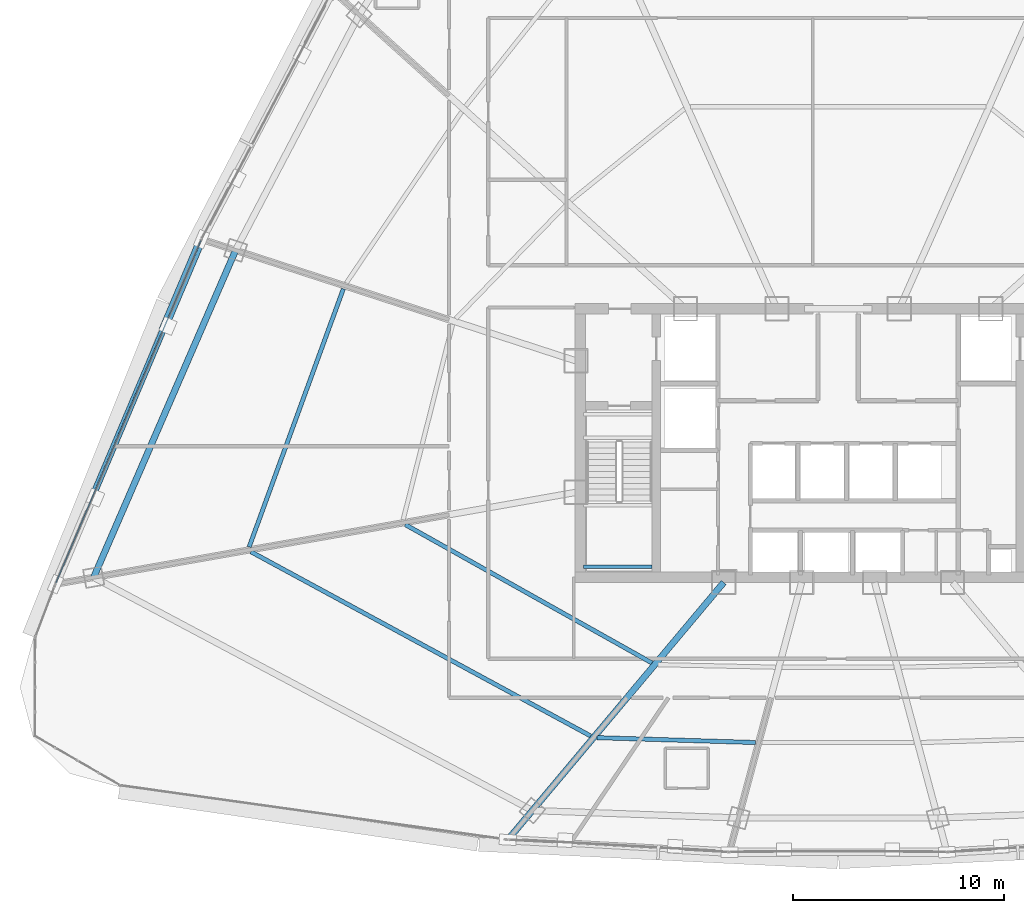
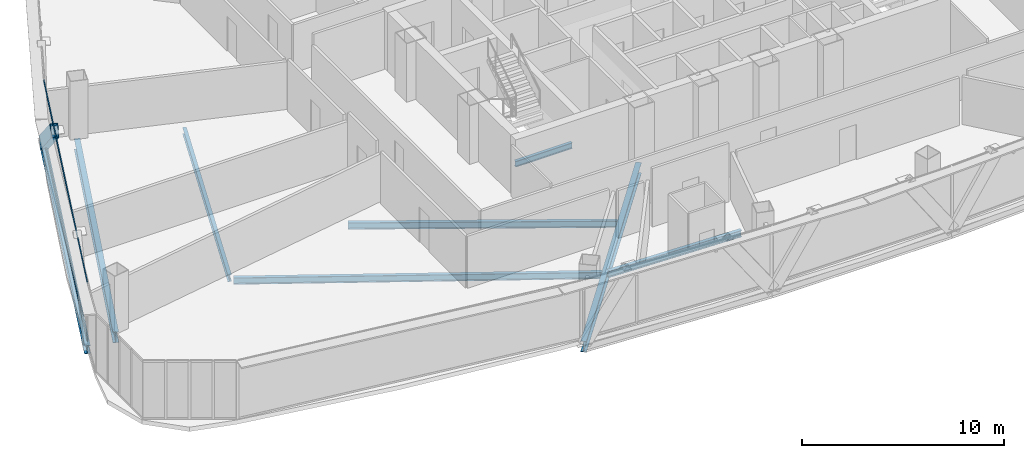
# One storey, part 7 of 37: 8 beams, 3 members, 1 element without a shape of its own.
"""IFC4 building model written with IfcOpenShell, lengths in metres."""

from ifc_helpers import new_model, si_unit, direction, frame, origin, origin_2d, place, context, subcontext, project, spatial, hollow_rectangle, i_section, extrude, source, transform, mapped, material, layer, layer_set, material_profile, profile_set, type_object, element, aggregate, save


model = new_model("IFC4")

# Units and contexts
model_context = context("Model", 3, precision=1e-05, world=origin(), true_north=direction((0.0, 1.0)))
body_context = subcontext(model_context, "Body", "Model", "MODEL_VIEW")
ifc_project = project(units=[si_unit("LENGTHUNIT", "METRE"), si_unit("AREAUNIT", "SQUARE_METRE"), si_unit("VOLUMEUNIT", "CUBIC_METRE"), si_unit("PLANEANGLEUNIT", "RADIAN"), si_unit("MASSUNIT", "GRAM", prefix="KILO"), si_unit("THERMODYNAMICTEMPERATUREUNIT", "KELVIN"), si_unit("POWERUNIT", "WATT")], contexts=[model_context])

# Site, building, storey
site_placement = place(None, origin())
site = spatial("IfcSite", under=ifc_project, at=site_placement, CompositionType="ELEMENT")
building_placement = place(site_placement, origin())
building = spatial("IfcBuilding", under=site, at=building_placement, Name="Yunzhuo Pagoda Commons", CompositionType="ELEMENT")
storey_placement = place(building_placement, frame((0.0, 0.0, 207.56005859375)))
storey = spatial("IfcBuildingStorey", under=building, at=storey_placement, Name="L52", CompositionType="ELEMENT", Elevation=207.56005859375)

# Beams
ifc_material_1 = material(Name="Structural steel Q355B", Category="steel")
ifc_material_profile_1 = material_profile(ifc_material_1, i_section(OverallWidth=0.175048828125, OverallDepth=0.35009765625, WebThickness=0.007080078125, FlangeThickness=0.010986328125, at=origin_2d()), Name="Structural steel Q355B")
ifc_profile_set_1 = profile_set([ifc_material_profile_1], Name="Structural steel Q355B")
beam_type_1 = type_object("IfcBeamType", Name="B-JS2 Joist HN 350x175x7x11", PredefinedType="JOIST", material=ifc_profile_set_1)
shared_shape_1 = source(origin(), body_context, "Body", "SweptSolid", [
    extrude(i_section(OverallWidth=0.175048828125, OverallDepth=0.35009765625, WebThickness=0.007080078125, FlangeThickness=0.010986328125, at=origin_2d()), origin(), (0.0, 0.0, 1.0), 3.25),
])
beam_1_placement = place(storey_placement, frame((35.949951171875, 28.0, 1.52490234375), z_axis=(1.0, 0.0, 0.0), x_axis=(0.0, 1.0, 0.0)))
element("IfcBeam", 1, at=beam_1_placement, inside=storey, type_object=beam_type_1, Name="L52 ST1 landing support beam 58A", PredefinedType="JOIST", context=body_context, shape_type="MappedRepresentation", body=[
    mapped(shared_shape_1, transform((0.0, 0.0, 0.0), scale=1.0)),
])
ifc_material_profile_2 = material_profile(ifc_material_1, i_section(OverallWidth=0.300048828125, OverallDepth=0.64990234375, WebThickness=0.012939453125, FlangeThickness=0.02197265625, at=origin_2d()), Name="Structural steel Q355B")
ifc_profile_set_2 = profile_set([ifc_material_profile_2], Name="Structural steel Q355B")
beam_type_2 = type_object("IfcBeamType", Name="B-RG2 Beam HN 650x300x13x22", PredefinedType="BEAM", material=ifc_profile_set_2)
shared_shape_2 = source(origin(), body_context, "Body", "SweptSolid", [
    extrude(i_section(OverallWidth=0.300048828125, OverallDepth=0.64990234375, WebThickness=0.012939453125, FlangeThickness=0.02197265625, at=origin_2d()), origin(), (0.0, 0.0, 1.0), 16.859619140625),
])
beam_2_placement = place(storey_placement, frame((19.50537109375, 42.95849609375, -0.5849609375), z_axis=(-0.398104384161, -0.917340121935, 0.0), x_axis=(0.917340121935, -0.398104384161, 0.0)))
element("IfcBeam", 2, at=beam_2_placement, inside=storey, type_object=beam_type_2, Name="L52 column-ring beam 11", PredefinedType="BEAM", context=body_context, shape_type="MappedRepresentation", body=[
    mapped(shared_shape_2, transform((0.0, 0.0, 0.0), scale=1.0)),
])
ifc_material_profile_3 = material_profile(ifc_material_1, i_section(OverallWidth=0.199951171875, OverallDepth=0.39990234375, WebThickness=0.008056640625, FlangeThickness=0.012939453125, at=origin_2d()), Name="Structural steel Q355B")
ifc_profile_set_3 = profile_set([ifc_material_profile_3], Name="Structural steel Q355B")
beam_type_3 = type_object("IfcBeamType", Name="B-JS1 Joist HN 400x200x8x13", PredefinedType="JOIST", material=ifc_profile_set_3)
shared_shape_3 = source(origin(), body_context, "Body", "SweptSolid", [
    extrude(i_section(OverallWidth=0.199951171875, OverallDepth=0.39990234375, WebThickness=0.008056640625, FlangeThickness=0.012939453125, at=origin_2d()), origin(), (0.0, 0.0, 1.0), 7.49365234375),
])
beam_3_placement = place(storey_placement, frame((36.593505859375, 19.911865234375, -0.4599609375), z_axis=(0.99952593018, -0.030788226605, 0.0), x_axis=(0.030788226605, 0.99952593018, 0.0)))
element("IfcBeam", 3, at=beam_3_placement, inside=storey, type_object=beam_type_3, Name="L52 composite ring joist 2.1", PredefinedType="JOIST", context=body_context, shape_type="MappedRepresentation", body=[
    mapped(shared_shape_3, transform((0.0, 0.0, 0.0), scale=1.0)),
])
shared_shape_4 = source(origin(), body_context, "Body", "SweptSolid", [
    extrude(i_section(OverallWidth=0.199951171875, OverallDepth=0.39990234375, WebThickness=0.008056640625, FlangeThickness=0.012939453125, at=origin_2d()), origin(), (0.0, 0.0, 1.0), 13.372802734375),
])
beam_4_placement = place(storey_placement, frame((27.5283203125, 29.988037109375, -0.4599609375), z_axis=(0.872150261016, -0.4892381038, 0.0), x_axis=(0.4892381038, 0.872150261016, 0.0)))
element("IfcBeam", 4, at=beam_4_placement, inside=storey, type_object=beam_type_3, Name="L52 composite ring joist 1.12", PredefinedType="JOIST", context=body_context, shape_type="MappedRepresentation", body=[
    mapped(shared_shape_4, transform((0.0, 0.0, 0.0), scale=1.0)),
])
shared_shape_5 = source(origin(), body_context, "Body", "SweptSolid", [
    extrude(i_section(OverallWidth=0.199951171875, OverallDepth=0.39990234375, WebThickness=0.008056640625, FlangeThickness=0.012939453125, at=origin_2d()), origin(), (0.0, 0.0, 1.0), 18.27294921875),
])
beam_5_placement = place(storey_placement, frame((20.2314453125, 28.703125, -0.4599609375), z_axis=(0.879067821824, -0.476696721861, 0.0), x_axis=(0.476696721861, 0.879067821824, 0.0)))
element("IfcBeam", 5, at=beam_5_placement, inside=storey, type_object=beam_type_3, Name="L52 composite ring joist 2.12", PredefinedType="JOIST", context=body_context, shape_type="MappedRepresentation", body=[
    mapped(shared_shape_5, transform((0.0, 0.0, 0.0), scale=1.0)),
])
shared_shape_6 = source(origin(), body_context, "Body", "SweptSolid", [
    extrude(i_section(OverallWidth=0.199951171875, OverallDepth=0.39990234375, WebThickness=0.008056640625, FlangeThickness=0.012939453125, at=origin_2d()), origin(), (0.0, 0.0, 1.0), 12.994873046875),
])
beam_6_placement = place(storey_placement, frame((24.60107421875, 41.1357421875, -0.4599609375), z_axis=(-0.342834977914, -0.939395645039, 0.0), x_axis=(0.939395645039, -0.342834977914, 0.0)))
element("IfcBeam", 6, at=beam_6_placement, inside=storey, type_object=beam_type_3, Name="L52 composite ring joist 2.11", PredefinedType="JOIST", context=body_context, shape_type="MappedRepresentation", body=[
    mapped(shared_shape_6, transform((0.0, 0.0, 0.0), scale=1.0)),
])
shared_shape_7 = source(origin(), body_context, "Body", "SweptSolid", [
    extrude(i_section(OverallWidth=0.300048828125, OverallDepth=0.64990234375, WebThickness=0.012939453125, FlangeThickness=0.02197265625, at=origin_2d()), origin(), (0.0, 0.0, 1.0), 15.728515625),
])
beam_7_placement = place(storey_placement, frame((32.477783203125, 15.201416015625, -0.5849609375), z_axis=(0.642793021252, 0.766039902244, 0.0), x_axis=(-0.766039902244, 0.642793021252, 0.0)))
element("IfcBeam", 7, at=beam_7_placement, inside=storey, type_object=beam_type_2, Name="L52 radial floor girder F1C1", PredefinedType="BEAM", context=body_context, shape_type="MappedRepresentation", body=[
    mapped(shared_shape_7, transform((0.0, 0.0, 0.0), scale=1.0)),
])
ifc_material_profile_4 = material_profile(ifc_material_1, i_section(OverallWidth=0.300048828125, OverallDepth=0.488037109375, WebThickness=0.010986328125, FlangeThickness=0.01806640625, at=origin_2d()), Name="Structural steel Q355B")
ifc_profile_set_4 = profile_set([ifc_material_profile_4], Name="Structural steel Q355B")
beam_type_4 = type_object("IfcBeamType", Name="B-SP1 Beam HM 488x300x11x18", PredefinedType="BEAM", material=ifc_profile_set_4)
shared_shape_8 = source(origin(), body_context, "Body", "SweptSolid", [
    extrude(i_section(OverallWidth=0.300048828125, OverallDepth=0.488037109375, WebThickness=0.010986328125, FlangeThickness=0.01806640625, at=origin_2d()), origin(), (0.0, 0.0, 1.0), 17.71142578125),
])
beam_8_placement = place(storey_placement, frame((17.892578125, 43.482421875, -0.504150390625), z_axis=(-0.389974526581, -0.92082564507, 0.0), x_axis=(0.92082564507, -0.389974526581, 0.0)))
element("IfcBeam", 8, at=beam_8_placement, inside=storey, type_object=beam_type_4, Name="L52 facade edge spandrel beam F3.3", PredefinedType="BEAM", context=body_context, shape_type="MappedRepresentation", body=[
    mapped(shared_shape_8, transform((0.0, 0.0, 0.0), scale=1.0)),
])

# Member
ifc_material_profile_5 = material_profile(ifc_material_1, hollow_rectangle(XDim=0.39990234375, YDim=0.719970703125, WallThickness=0.02392578125, at=origin_2d()), Name="Structural steel Q355B")
ifc_profile_set_5 = profile_set([ifc_material_profile_5], Name="Structural steel Q355B")
member_type_1 = type_object("IfcMemberType", Name="M-DL2 Brace BOX 720x400x24", PredefinedType="BRACE", material=ifc_profile_set_5)
shared_shape_9 = source(origin(), body_context, "Body", "SweptSolid", [
    extrude(hollow_rectangle(XDim=0.39990234375, YDim=0.719970703125, WallThickness=0.02392578125, at=origin_2d()), origin(), (0.0, 0.0, 1.0), 5.834716796875),
])
member_1_placement = place(storey_placement, frame((17.892578125, 43.482421875, -0.260009765625), z_axis=(-0.295909318561, -0.698767763004, 0.651276660548), x_axis=(0.920836302377, -0.389949361102, 0.0)))
element("IfcMember", 9, at=member_1_placement, inside=storey, type_object=member_type_1, Name="L52 facade diamond brace F3.3L", PredefinedType="BRACE", context=body_context, shape_type="MappedRepresentation", body=[
    mapped(shared_shape_9, transform((0.0, 0.0, 0.0), scale=1.0)),
])

# Curtain wall, members
ifc_material_2 = material(Name="Anodized aluminium 6063-T6", Category="aluminium")
ifc_layer = layer(ifc_material_2, 0.14990234375)
ifc_layer_set = layer_set([ifc_layer], Name="Anodized aluminium 6063-T6")
curtain_wall_type = type_object("IfcCurtainWallType", Name="CW-MID Mid-Zone Ribbon Curtain Wall", PredefinedType="NOTDEFINED", material=ifc_layer_set)
curtain_wall_placement = place(storey_placement, origin())
curtain_wall = element("IfcCurtainWall", 10, at=curtain_wall_placement, inside=storey, type_object=curtain_wall_type, Name="L52 curtain wall CW-L52-F3B4", PredefinedType="NOTDEFINED")
ifc_material_profile_6 = material_profile(ifc_material_2, hollow_rectangle(XDim=0.054931640625, YDim=0.1298828125, WallThickness=0.00341796875, at=origin_2d()), Name="Anodized aluminium 6063-T6")
ifc_profile_set_6 = profile_set([ifc_material_profile_6], Name="Anodized aluminium 6063-T6")
member_type_2 = type_object("IfcMemberType", Name="CW-MID-T Transom RHS 130x55x3.5", PredefinedType="USERDEFINED", material=ifc_profile_set_6)
shared_shape_10 = source(origin(), body_context, "Body", "SweptSolid", [
    extrude(hollow_rectangle(XDim=0.054931640625, YDim=0.1298828125, WallThickness=0.00341796875, at=origin_2d()), origin(), (0.0, 0.0, 1.0), 17.591552734375),
])
member_2_placement = place(storey_placement, frame((17.869140625, 43.42724609375, 0.02734375), z_axis=(-0.389979520637, -0.920823530045, 0.0), x_axis=(0.920823530045, -0.389979520637, 0.0)))
member_2 = element("IfcMember", 11, at=member_2_placement, type_object=member_type_2, Name="CW transom 1.1", ObjectType="TRANSOM", PredefinedType="USERDEFINED", context=body_context, shape_type="MappedRepresentation", body=[
    mapped(shared_shape_10, transform((0.0, 0.0, 0.0), scale=1.0)),
])
member_3_placement = place(storey_placement, frame((17.869140625, 43.42724609375, 3.512451171875), z_axis=(-0.389979520637, -0.920823530045, 0.0), x_axis=(0.920823530045, -0.389979520637, 0.0)))
member_3 = element("IfcMember", 12, at=member_3_placement, type_object=member_type_2, Name="CW transom 1.2", ObjectType="TRANSOM", PredefinedType="USERDEFINED", context=body_context, shape_type="MappedRepresentation", body=[
    mapped(shared_shape_10, transform((0.0, 0.0, 0.0), scale=1.0)),
])
aggregate(curtain_wall, [member_2, member_3])

save(model, "model.ifc")
